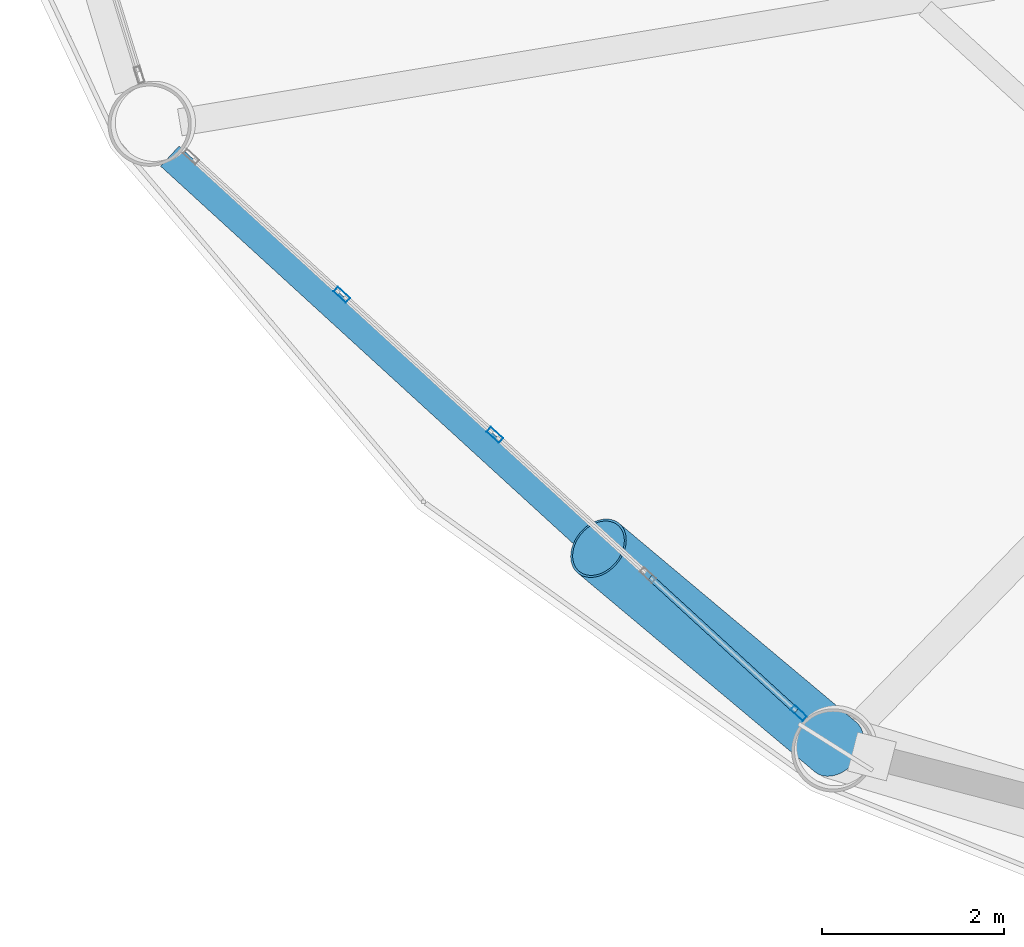
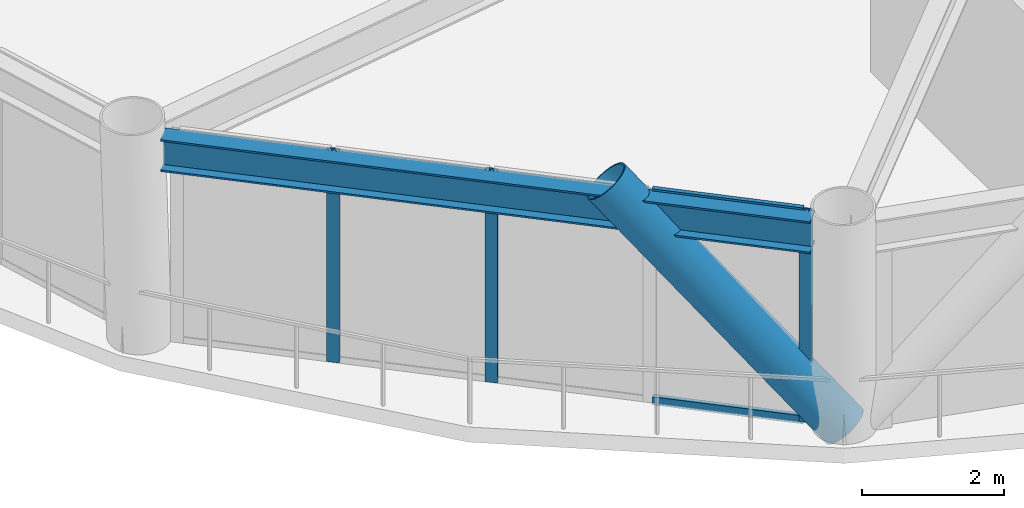
# One storey, part 2 of 25: 6 members, 1 beam, 1 element without a shape of its own.
"""IFC4 building model written with IfcOpenShell, lengths in metres."""

from ifc_helpers import new_model, si_unit, direction, frame, origin, origin_2d, place, context, subcontext, project, spatial, hollow_rectangle, hollow_circle, i_section, extrude, material, layer, layer_set, material_profile, profile_set, type_object, element, aggregate, save


model = new_model("IFC4")

# Units and contexts
model_context = context("Model", 3, precision=1e-05, world=origin(), true_north=direction((0.0, 1.0)))
body_context = subcontext(model_context, "Body", "Model", "MODEL_VIEW")
ifc_project = project(units=[si_unit("LENGTHUNIT", "METRE"), si_unit("AREAUNIT", "SQUARE_METRE"), si_unit("VOLUMEUNIT", "CUBIC_METRE"), si_unit("PLANEANGLEUNIT", "RADIAN"), si_unit("MASSUNIT", "GRAM", prefix="KILO")], contexts=[model_context])

# Site, building, storey
site_placement = place(None, origin())
site = spatial("IfcSite", under=ifc_project, at=site_placement, CompositionType="ELEMENT")
building_placement = place(site_placement, origin())
building = spatial("IfcBuilding", under=site, at=building_placement, Name="Varnakorn Sky Granary", CompositionType="ELEMENT")
storey_placement = place(building_placement, frame((0.0, 0.0, 39.300048828125)))
storey = spatial("IfcBuildingStorey", under=building, at=storey_placement, Name="L09", CompositionType="ELEMENT", Elevation=39.300048828125)

# Beam
ifc_material_1 = material(Name="Steel S355JR", Category="steel")
ifc_material_profile_1 = material_profile(ifc_material_1, i_section(OverallWidth=0.300048828125, OverallDepth=0.550048828125, WebThickness=0.014892578125, FlangeThickness=0.029052734375, at=origin_2d()), Name="HE 550 B")
ifc_profile_set_1 = profile_set([ifc_material_profile_1], Name="Steel S355JR")
beam_type = type_object("IfcBeamType", Name="BM-SPD-Z1", PredefinedType="SPANDREL", material=ifc_profile_set_1)
beam_placement = place(storey_placement, frame((-19.0546875, -9.740234375, 3.364990234375), z_axis=(0.737908523278, -0.674900741794, 0.0), x_axis=(0.674900741794, 0.737908523278, 0.0)))
element("IfcBeam", 1, at=beam_placement, inside=storey, type_object=beam_type, Name="Perimeter Spandrel Ring Beam RB08 L09", PredefinedType="SPANDREL", context=body_context, shape_type="SweptSolid", body=[
    extrude(i_section(OverallWidth=0.300048828125, OverallDepth=0.550048828125, WebThickness=0.014892578125, FlangeThickness=0.029052734375, at=origin_2d()), origin(), (0.0, 0.0, 1.0), 9.357666015625),
])

# Curtain wall, members
ifc_material_2 = material(Name="Anodised Bronze Aluminium Alloy 6063-T6", Category="aluminium")
ifc_layer = layer(ifc_material_2, 0.18994140625, Name="Anodised Bronze Aluminium Alloy 6063-T6")
ifc_layer_set = layer_set([ifc_layer], Name="Anodised Bronze Aluminium Alloy 6063-T6")
curtain_wall_type = type_object("IfcCurtainWallType", Name="CW-FRM-1", PredefinedType="USERDEFINED", material=ifc_layer_set)
curtain_wall_placement = place(storey_placement, origin())
curtain_wall = element("IfcCurtainWall", 2, at=curtain_wall_placement, inside=storey, type_object=curtain_wall_type, Name="Unitised Curtain Wall CW3 CW-L09-B08", ObjectType="CURTAIN WALL", PredefinedType="USERDEFINED")
ifc_material_profile_2 = material_profile(ifc_material_2, hollow_rectangle(XDim=0.070068359375, YDim=0.18505859375, WallThickness=0.00390625, at=origin_2d()), Name="ALU MULL 70x185")
ifc_profile_set_2 = profile_set([ifc_material_profile_2], Name="Anodised Bronze Aluminium Alloy 6063-T6")
member_type_1 = type_object("IfcMemberType", Name="CW-FRM-1-MULL", PredefinedType="MULLION", material=ifc_profile_set_2)
member_1_placement = place(storey_placement, frame((-12.142578125, -15.86328125, 0.0), z_axis=(0.0, 0.0, 1.0), x_axis=(-0.675388643465, -0.73746198565, 0.0)))
member_1 = element("IfcMember", 3, at=member_1_placement, type_object=member_type_1, Name="CW3 mullion 1", PredefinedType="MULLION", context=body_context, shape_type="SweptSolid", body=[
    extrude(hollow_rectangle(XDim=0.070068359375, YDim=0.18505859375, WallThickness=0.00390625, at=origin_2d()), origin(), (0.0, 0.0, 1.0), 3.639892578125),
])
member_2_placement = place(storey_placement, frame((-15.48193359375, -12.80517578125, 0.0), z_axis=(0.0, 0.0, 1.0), x_axis=(-0.675388643465, -0.73746198565, 0.0)))
member_2 = element("IfcMember", 4, at=member_2_placement, type_object=member_type_1, Name="CW3 mullion 3", PredefinedType="MULLION", context=body_context, shape_type="SweptSolid", body=[
    extrude(hollow_rectangle(XDim=0.070068359375, YDim=0.18505859375, WallThickness=0.00390625, at=origin_2d()), origin(), (0.0, 0.0, 1.0), 3.639892578125),
])
member_3_placement = place(storey_placement, frame((-17.16455078125, -11.26416015625, 0.0), z_axis=(0.0, 0.0, 1.0), x_axis=(-0.675388643465, -0.73746198565, 0.0)))
member_3 = element("IfcMember", 5, at=member_3_placement, type_object=member_type_1, Name="CW3 mullion 4", PredefinedType="MULLION", context=body_context, shape_type="SweptSolid", body=[
    extrude(hollow_rectangle(XDim=0.070068359375, YDim=0.18505859375, WallThickness=0.00390625, at=origin_2d()), origin(), (0.0, 0.0, 1.0), 3.639892578125),
])
ifc_material_profile_3 = material_profile(ifc_material_2, hollow_rectangle(XDim=0.070068359375, YDim=0.139892578125, WallThickness=0.00341796875, at=origin_2d()), Name="ALU TRAN 70x140")
ifc_profile_set_3 = profile_set([ifc_material_profile_3], Name="Anodised Bronze Aluminium Alloy 6063-T6")
member_type_2 = type_object("IfcMemberType", Name="CW-FRM-1-TRAN", PredefinedType="USERDEFINED", material=ifc_profile_set_3)
member_4_placement = place(storey_placement, frame((-12.16845703125, -15.83984375, 0.034912109375), z_axis=(-0.737438067317, 0.675414759146, 0.0), x_axis=(-0.675414759146, -0.737438067317, 0.0)))
member_4 = element("IfcMember", 6, at=member_4_placement, type_object=member_type_2, Name="CW3 transom 1.1", ObjectType="TRANSOM", PredefinedType="USERDEFINED", context=body_context, shape_type="SweptSolid", body=[
    extrude(hollow_rectangle(XDim=0.070068359375, YDim=0.139892578125, WallThickness=0.00341796875, at=origin_2d()), origin(), (0.0, 0.0, 1.0), 2.1767578125),
])
member_5_placement = place(storey_placement, frame((-12.16845703125, -15.83984375, 3.60498046875), z_axis=(-0.737438067317, 0.675414759146, 0.0), x_axis=(-0.675414759146, -0.737438067317, 0.0)))
member_5 = element("IfcMember", 7, at=member_5_placement, type_object=member_type_2, Name="CW3 transom 1.2", ObjectType="TRANSOM", PredefinedType="USERDEFINED", context=body_context, shape_type="SweptSolid", body=[
    extrude(hollow_rectangle(XDim=0.070068359375, YDim=0.139892578125, WallThickness=0.00341796875, at=origin_2d()), origin(), (0.0, 0.0, 1.0), 2.1767578125),
])
aggregate(curtain_wall, [member_1, member_2, member_3, member_4, member_5])

# Member
ifc_material_3 = material(Name="Steel S460M", Category="steel")
ifc_material_profile_4 = material_profile(ifc_material_3, hollow_circle(Radius=0.35546875, WallThickness=0.02490234375, at=origin_2d()), Name="CHS 711x25")
ifc_profile_set_4 = profile_set([ifc_material_profile_4], Name="Steel S460M")
member_type_3 = type_object("IfcMemberType", Name="MB-DIAG-T0", PredefinedType="BRACE", material=ifc_profile_set_4)
member_6_placement = place(storey_placement, frame((-11.735595703125, -16.236083984375, 0.0), z_axis=(-0.511860095256, 0.429218514041, 0.744157718558), x_axis=(-0.642538877105, -0.766253085742, 0.0)))
element("IfcMember", 8, at=member_6_placement, inside=storey, type_object=member_type_3, Name="Perimeter CHS Diagrid Brace DG08 L09", PredefinedType="BRACE", context=body_context, shape_type="SweptSolid", body=[
    extrude(hollow_circle(Radius=0.35546875, WallThickness=0.02490234375, at=origin_2d()), origin(), (0.0, 0.0, 1.0), 5.093017578125),
])

save(model, "model.ifc")
